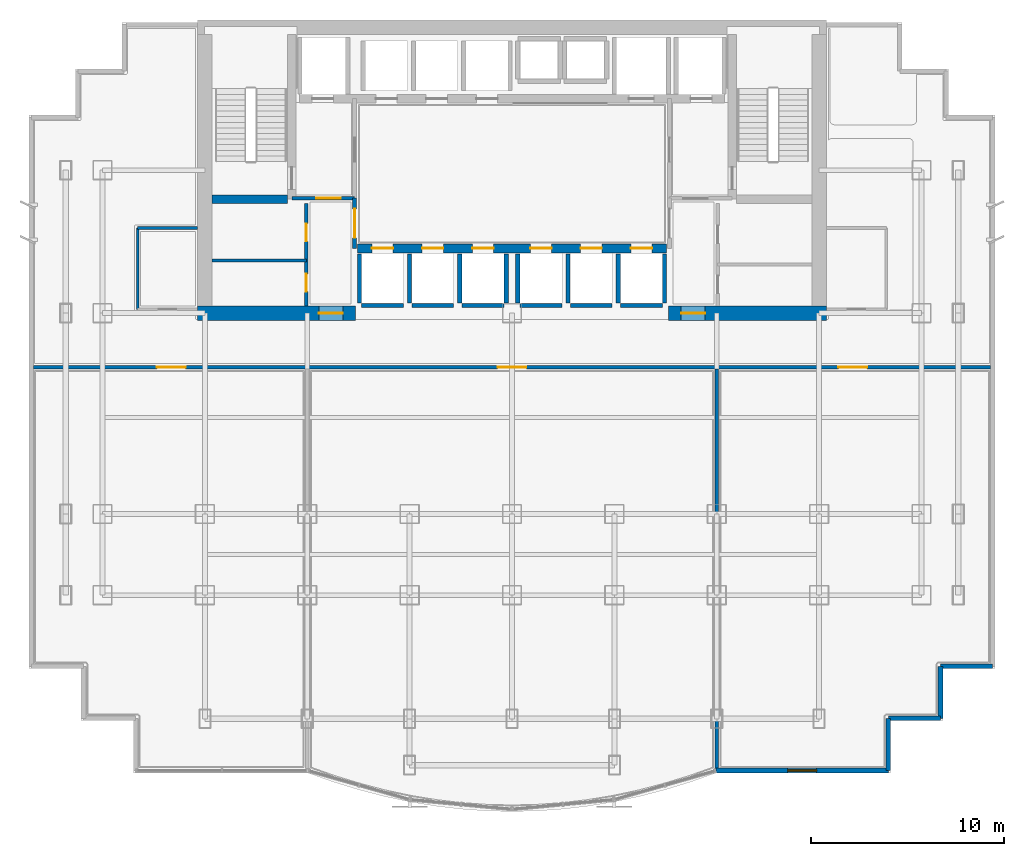
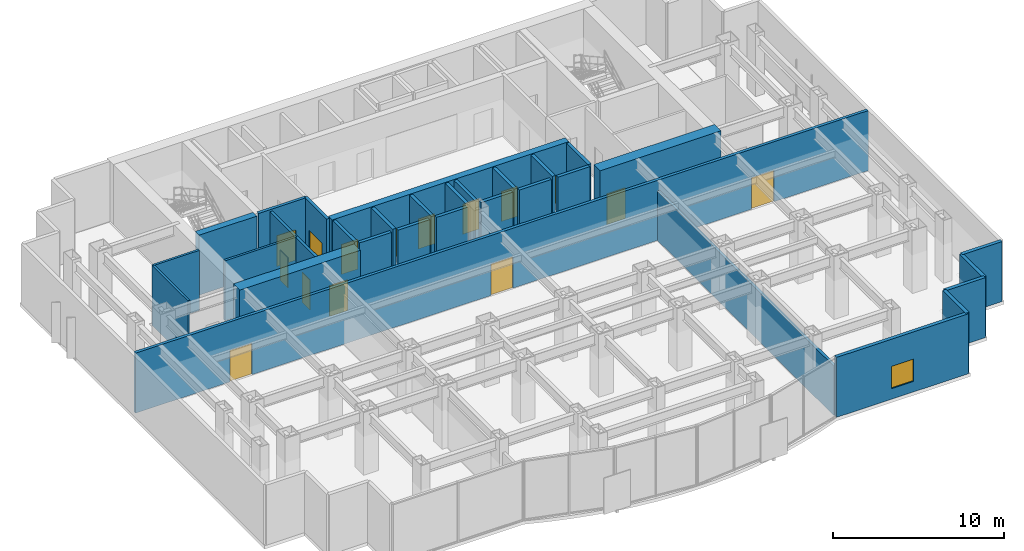
# One storey, part 5 of 9: 31 walls, 15 doors, 1 window, 16 openings.
"""IFC4 building model written with IfcOpenShell, lengths in metres."""

from ifc_helpers import new_model, si_unit, direction, frame, frame_2d, origin, place, context, subcontext, project, spatial, rectangle, extrude, material, layer, layer_set, type_object, element, fill, save


model = new_model("IFC4")

# Units and contexts
model_context = context("Model", 3, precision=1e-05, world=origin(), true_north=direction((0.0, 1.0)))
body_context = subcontext(model_context, "Body", "Model", "MODEL_VIEW")
ifc_project = project(units=[si_unit("LENGTHUNIT", "METRE"), si_unit("AREAUNIT", "SQUARE_METRE"), si_unit("VOLUMEUNIT", "CUBIC_METRE"), si_unit("PLANEANGLEUNIT", "RADIAN"), si_unit("MASSUNIT", "GRAM", prefix="KILO")], contexts=[model_context])

# Site, building, storey
site_placement = place(None, origin())
site = spatial("IfcSite", under=ifc_project, at=site_placement, CompositionType="ELEMENT")
building_placement = place(site_placement, origin())
building = spatial("IfcBuilding", under=site, at=building_placement, Name="Qianlan Lanfeng Residences", CompositionType="ELEMENT")
storey_placement = place(building_placement, frame((0.0, 0.0, 77.199951171875)))
storey = spatial("IfcBuildingStorey", under=building, at=storey_placement, Name="L20", CompositionType="ELEMENT", Elevation=77.199951171875)

# Wall
ifc_material_1 = material(Name="Concrete C60", Category="concrete")
ifc_layer_1 = layer(ifc_material_1, 0.449951171875)
ifc_layer_set_1 = layer_set([ifc_layer_1], Name="Concrete C60")
wall_type_1 = type_object("IfcWallType", Name="CW-RC-450", PredefinedType="SHEAR", material=ifc_layer_set_1)
wall_1_placement = place(storey_placement, frame((10.97509765625, 31.10009765625, 0.0), z_axis=(0.0, 0.0, 1.0), x_axis=(1.0, 0.0, 0.0)))
element("IfcWall", 1, at=wall_1_placement, inside=storey, type_object=wall_type_1, Name="L20 Core Shear Wall ST1S", PredefinedType="SHEAR", context=body_context, shape_type="SweptSolid", body=[
    extrude(rectangle(XDim=3.89990234375, YDim=0.449951171875, at=frame_2d((1.949951171875, 0.0))), origin(), (0.0, 0.0, 1.0), 4.2900390625),
])

# Wall, openings, doors
wall_2_placement = place(storey_placement, frame((18.5, 28.550048828125, 0.0), z_axis=(0.0, 0.0, 1.0), x_axis=(1.0, 0.0, 0.0)))
wall_2 = element("IfcWall", 2, at=wall_2_placement, inside=storey, type_object=wall_type_1, Name="L20 Core Shear Wall LBS", PredefinedType="SHEAR", context=body_context, shape_type="SweptSolid", body=[
    extrude(rectangle(XDim=16.0, YDim=0.449951171875, at=frame_2d((8.0, 0.0))), origin(), (0.0, 0.0, 1.0), 4.2900390625),
])
opening_1_placement = place(wall_2_placement, frame((0.75, 0.0, 0.0)))
opening_1 = element("IfcOpeningElement", 3, at=opening_1_placement, cuts=wall_2, Name="Opening L20-LD-PL-L1", PredefinedType="OPENING", context=body_context, shape_type="SweptSolid", body=[
    extrude(rectangle(XDim=1.10009765625, YDim=2.14990234375, at=frame_2d((0.550048828125, 1.074951171875))), frame((0.0, 0.23486328125, 0.0), z_axis=(0.0, -1.0, 0.0), x_axis=(1.0, 0.0, 0.0)), (0.0, 0.0, 1.0), 0.469970703125),
])
opening_2_placement = place(wall_2_placement, frame((3.35009765625, 0.0, 0.0)))
opening_2 = element("IfcOpeningElement", 4, at=opening_2_placement, cuts=wall_2, Name="Opening L20-LD-PL-L2", PredefinedType="OPENING", context=body_context, shape_type="SweptSolid", body=[
    extrude(rectangle(XDim=1.10009765625, YDim=2.14990234375, at=frame_2d((0.550048828125, 1.074951171875))), frame((0.0, 0.23486328125, 0.0), z_axis=(0.0, -1.0, 0.0), x_axis=(1.0, 0.0, 0.0)), (0.0, 0.0, 1.0), 0.469970703125),
])
opening_3_placement = place(wall_2_placement, frame((5.949951171875, 0.0, 0.0)))
opening_3 = element("IfcOpeningElement", 5, at=opening_3_placement, cuts=wall_2, Name="Opening L20-LD-PL-L3", PredefinedType="OPENING", context=body_context, shape_type="SweptSolid", body=[
    extrude(rectangle(XDim=1.10009765625, YDim=2.14990234375, at=frame_2d((0.550048828125, 1.074951171875))), frame((0.0, 0.23486328125, 0.0), z_axis=(0.0, -1.0, 0.0), x_axis=(1.0, 0.0, 0.0)), (0.0, 0.0, 1.0), 0.469970703125),
])
opening_4_placement = place(wall_2_placement, frame((8.949951171875, 0.0, 0.0)))
opening_4 = element("IfcOpeningElement", 6, at=opening_4_placement, cuts=wall_2, Name="Opening L20-LD-PL-M1", PredefinedType="OPENING", context=body_context, shape_type="SweptSolid", body=[
    extrude(rectangle(XDim=1.10009765625, YDim=2.14990234375, at=frame_2d((0.550048828125, 1.074951171875))), frame((0.0, 0.23486328125, 0.0), z_axis=(0.0, -1.0, 0.0), x_axis=(1.0, 0.0, 0.0)), (0.0, 0.0, 1.0), 0.469970703125),
])
opening_5_placement = place(wall_2_placement, frame((11.550048828125, 0.0, 0.0)))
opening_5 = element("IfcOpeningElement", 7, at=opening_5_placement, cuts=wall_2, Name="Opening L20-LD-PL-M2", PredefinedType="OPENING", context=body_context, shape_type="SweptSolid", body=[
    extrude(rectangle(XDim=1.10009765625, YDim=2.14990234375, at=frame_2d((0.550048828125, 1.074951171875))), frame((0.0, 0.23486328125, 0.0), z_axis=(0.0, -1.0, 0.0), x_axis=(1.0, 0.0, 0.0)), (0.0, 0.0, 1.0), 0.469970703125),
])
opening_6_placement = place(wall_2_placement, frame((14.14990234375, 0.0, 0.0)))
opening_6 = element("IfcOpeningElement", 8, at=opening_6_placement, cuts=wall_2, Name="Opening L20-LD-PL-M3", PredefinedType="OPENING", context=body_context, shape_type="SweptSolid", body=[
    extrude(rectangle(XDim=1.10009765625, YDim=2.14990234375, at=frame_2d((0.550048828125, 1.074951171875))), frame((0.0, 0.23486328125, 0.0), z_axis=(0.0, -1.0, 0.0), x_axis=(1.0, 0.0, 0.0)), (0.0, 0.0, 1.0), 0.469970703125),
])
ifc_material_2 = material(Name="Brushed Stainless Steel Sliding Lift Door", Category="steel")
door_type_1 = type_object("IfcDoorType", Name="LD-01", OperationType="NOTDEFINED", PredefinedType="DOOR", material=ifc_material_2)
door_1_placement = place(opening_1_placement, origin())
door_1 = element("IfcDoor", 9, at=door_1_placement, inside=storey, type_object=door_type_1, Name="L20 Elevator PL-L1 Sliding Landing Door", OperationType="DOUBLE_DOOR_SLIDING", OverallHeight=2.14990234375, OverallWidth=1.10009765625, PredefinedType="DOOR", context=body_context, shape_type="SweptSolid", body=[
    extrude(rectangle(XDim=1.10009765625, YDim=2.14990234375, at=frame_2d((0.550048828125, 1.074951171875))), frame((0.0, 0.02490234375, 0.0), z_axis=(0.0, -1.0, 0.0), x_axis=(1.0, 0.0, 0.0)), (0.0, 0.0, 1.0), 0.050048828125),
])
fill(opening_1, door_1)
door_2_placement = place(opening_2_placement, origin())
door_2 = element("IfcDoor", 10, at=door_2_placement, inside=storey, type_object=door_type_1, Name="L20 Elevator PL-L2 Sliding Landing Door", OperationType="DOUBLE_DOOR_SLIDING", OverallHeight=2.14990234375, OverallWidth=1.10009765625, PredefinedType="DOOR", context=body_context, shape_type="SweptSolid", body=[
    extrude(rectangle(XDim=1.10009765625, YDim=2.14990234375, at=frame_2d((0.550048828125, 1.074951171875))), frame((0.0, 0.02490234375, 0.0), z_axis=(0.0, -1.0, 0.0), x_axis=(1.0, 0.0, 0.0)), (0.0, 0.0, 1.0), 0.050048828125),
])
fill(opening_2, door_2)
door_3_placement = place(opening_3_placement, origin())
door_3 = element("IfcDoor", 11, at=door_3_placement, inside=storey, type_object=door_type_1, Name="L20 Elevator PL-L3 Sliding Landing Door", OperationType="DOUBLE_DOOR_SLIDING", OverallHeight=2.14990234375, OverallWidth=1.10009765625, PredefinedType="DOOR", context=body_context, shape_type="SweptSolid", body=[
    extrude(rectangle(XDim=1.10009765625, YDim=2.14990234375, at=frame_2d((0.550048828125, 1.074951171875))), frame((0.0, 0.02490234375, 0.0), z_axis=(0.0, -1.0, 0.0), x_axis=(1.0, 0.0, 0.0)), (0.0, 0.0, 1.0), 0.050048828125),
])
fill(opening_3, door_3)
door_4_placement = place(opening_4_placement, origin())
door_4 = element("IfcDoor", 12, at=door_4_placement, inside=storey, type_object=door_type_1, Name="L20 Elevator PL-M1 Sliding Landing Door", OperationType="DOUBLE_DOOR_SLIDING", OverallHeight=2.14990234375, OverallWidth=1.10009765625, PredefinedType="DOOR", context=body_context, shape_type="SweptSolid", body=[
    extrude(rectangle(XDim=1.10009765625, YDim=2.14990234375, at=frame_2d((0.550048828125, 1.074951171875))), frame((0.0, 0.02490234375, 0.0), z_axis=(0.0, -1.0, 0.0), x_axis=(1.0, 0.0, 0.0)), (0.0, 0.0, 1.0), 0.050048828125),
])
fill(opening_4, door_4)
door_5_placement = place(opening_5_placement, origin())
door_5 = element("IfcDoor", 13, at=door_5_placement, inside=storey, type_object=door_type_1, Name="L20 Elevator PL-M2 Sliding Landing Door", OperationType="DOUBLE_DOOR_SLIDING", OverallHeight=2.14990234375, OverallWidth=1.10009765625, PredefinedType="DOOR", context=body_context, shape_type="SweptSolid", body=[
    extrude(rectangle(XDim=1.10009765625, YDim=2.14990234375, at=frame_2d((0.550048828125, 1.074951171875))), frame((0.0, 0.02490234375, 0.0), z_axis=(0.0, -1.0, 0.0), x_axis=(1.0, 0.0, 0.0)), (0.0, 0.0, 1.0), 0.050048828125),
])
fill(opening_5, door_5)
door_6_placement = place(opening_6_placement, origin())
door_6 = element("IfcDoor", 14, at=door_6_placement, inside=storey, type_object=door_type_1, Name="L20 Elevator PL-M3 Sliding Landing Door", OperationType="DOUBLE_DOOR_SLIDING", OverallHeight=2.14990234375, OverallWidth=1.10009765625, PredefinedType="DOOR", context=body_context, shape_type="SweptSolid", body=[
    extrude(rectangle(XDim=1.10009765625, YDim=2.14990234375, at=frame_2d((0.550048828125, 1.074951171875))), frame((0.0, 0.02490234375, 0.0), z_axis=(0.0, -1.0, 0.0), x_axis=(1.0, 0.0, 0.0)), (0.0, 0.0, 1.0), 0.050048828125),
])
fill(opening_6, door_6)

# Wall, opening, door
ifc_layer_2 = layer(ifc_material_1, 0.75)
ifc_layer_set_2 = layer_set([ifc_layer_2], Name="Concrete C60")
wall_type_2 = type_object("IfcWallType", Name="CW-RC-750", PredefinedType="SHEAR", material=ifc_layer_set_2)
wall_3_placement = place(storey_placement, frame((10.22509765625, 25.199951171875, 0.0), z_axis=(0.0, 0.0, 1.0), x_axis=(1.0, 0.0, 0.0)))
wall_3 = element("IfcWall", 15, at=wall_3_placement, inside=storey, type_object=wall_type_2, Name="L20 Core Shear Wall SW", PredefinedType="SHEAR", context=body_context, shape_type="SweptSolid", body=[
    extrude(rectangle(XDim=8.1748046875, YDim=0.75, at=frame_2d((4.08740234375, 0.0))), origin(), (0.0, 0.0, 1.0), 4.2900390625),
])
opening_7_placement = place(wall_3_placement, frame((6.27490234375, 0.0, 0.0)))
opening_7 = element("IfcOpeningElement", 16, at=opening_7_placement, cuts=wall_3, Name="Opening L20-D01", PredefinedType="OPENING", context=body_context, shape_type="SweptSolid", body=[
    extrude(rectangle(XDim=1.25, YDim=2.199951171875, at=frame_2d((0.625, 1.10009765625))), frame((0.0, 0.385009765625, 0.0), z_axis=(0.0, -1.0, 0.0), x_axis=(1.0, 0.0, 0.0)), (0.0, 0.0, 1.0), 0.77001953125),
])
ifc_material_3 = material(Name="Painted Galvanised Steel Fire Door", Category="steel")
door_type_2 = type_object("IfcDoorType", Name="DT-FFL", OperationType="NOTDEFINED", PredefinedType="DOOR", material=ifc_material_3)
door_7_placement = place(opening_7_placement, frame((1.25, 0.0, 0.0), z_axis=(0.0, 0.0, 1.0), x_axis=(-1.0, 0.0, 0.0)))
door_7 = element("IfcDoor", 17, at=door_7_placement, inside=storey, type_object=door_type_2, Name="L20 West Core Lobby Smoke Door L20-D01 (DT-FFL)", OperationType="SINGLE_SWING_RIGHT", OverallHeight=2.199951171875, OverallWidth=1.25, PredefinedType="DOOR", context=body_context, shape_type="SweptSolid", body=[
    extrude(rectangle(XDim=1.25, YDim=2.199951171875, at=frame_2d((0.625, 1.10009765625))), frame((0.0, 0.02490234375, 0.0), z_axis=(0.0, -1.0, 0.0), x_axis=(1.0, 0.0, 0.0)), (0.0, 0.0, 1.0), 0.050048828125),
])
fill(opening_7, door_7)

wall_4_placement = place(storey_placement, frame((34.60009765625, 25.199951171875, 0.0), z_axis=(0.0, 0.0, 1.0), x_axis=(1.0, 0.0, 0.0)))
wall_4 = element("IfcWall", 18, at=wall_4_placement, inside=storey, type_object=wall_type_2, Name="L20 Core Shear Wall SE", PredefinedType="SHEAR", context=body_context, shape_type="SweptSolid", body=[
    extrude(rectangle(XDim=8.1748046875, YDim=0.75, at=frame_2d((4.08740234375, 0.0))), origin(), (0.0, 0.0, 1.0), 4.2900390625),
])
opening_8_placement = place(wall_4_placement, frame((0.64990234375, 0.0, 0.0)))
opening_8 = element("IfcOpeningElement", 19, at=opening_8_placement, cuts=wall_4, Name="Opening L20-D02", PredefinedType="OPENING", context=body_context, shape_type="SweptSolid", body=[
    extrude(rectangle(XDim=1.25, YDim=2.199951171875, at=frame_2d((0.625, 1.10009765625))), frame((0.0, 0.385009765625, 0.0), z_axis=(0.0, -1.0, 0.0), x_axis=(1.0, 0.0, 0.0)), (0.0, 0.0, 1.0), 0.77001953125),
])
door_8_placement = place(opening_8_placement, frame((1.25, 0.0, 0.0), z_axis=(0.0, 0.0, 1.0), x_axis=(-1.0, 0.0, 0.0)))
door_8 = element("IfcDoor", 20, at=door_8_placement, inside=storey, type_object=door_type_2, Name="L20 East Core Lobby Smoke Door L20-D02 (DT-FFL)", OperationType="SINGLE_SWING_LEFT", OverallHeight=2.199951171875, OverallWidth=1.25, PredefinedType="DOOR", context=body_context, shape_type="SweptSolid", body=[
    extrude(rectangle(XDim=1.25, YDim=2.199951171875, at=frame_2d((0.625, 1.10009765625))), frame((0.0, 0.02490234375, 0.0), z_axis=(0.0, -1.0, 0.0), x_axis=(1.0, 0.0, 0.0)), (0.0, 0.0, 1.0), 0.050048828125),
])
fill(opening_8, door_8)

# Wall, opening, window
ifc_material_4 = material(Name="Concrete C42", Category="concrete")
ifc_layer_3 = layer(ifc_material_4, 0.239990234375)
ifc_layer_set_3 = layer_set([ifc_layer_3], Name="Concrete C42")
wall_type_3 = type_object("IfcWallType", Name="EW-240", PredefinedType="SOLIDWALL", material=ifc_layer_set_3)
wall_5_placement = place(storey_placement, frame((37.05908203125, 1.52001953125, 0.0), z_axis=(0.0, 0.0, 1.0), x_axis=(1.0, 0.0, 0.0)))
wall_5 = element("IfcWall", 21, at=wall_5_placement, inside=storey, type_object=wall_type_3, Name="L20 Exterior Facade Spandrel Wall 5", PredefinedType="SOLIDWALL", context=body_context, shape_type="SweptSolid", body=[
    extrude(rectangle(XDim=8.9208984375, YDim=0.239990234375, at=frame_2d((4.46044921875, 0.0))), origin(), (0.0, 0.0, 1.0), 4.2900390625),
])
opening_9_placement = place(wall_5_placement, frame((3.7099609375, 0.0, 0.75)))
opening_9 = element("IfcOpeningElement", 22, at=opening_9_placement, cuts=wall_5, Name="Opening W-02", PredefinedType="OPENING", context=body_context, shape_type="SweptSolid", body=[
    extrude(rectangle(XDim=1.5, YDim=1.60009765625, at=frame_2d((0.75, 0.800048828125))), frame((0.0, 0.1298828125, 0.0), z_axis=(0.0, -1.0, 0.0), x_axis=(1.0, 0.0, 0.0)), (0.0, 0.0, 1.0), 0.260009765625),
])
ifc_material_5 = material(Name="Anodised Bronze Aluminium Framed Double Glazing", Category="aluminium")
window_type = type_object("IfcWindowType", Name="W-02", PartitioningType="SINGLE_PANEL", PredefinedType="WINDOW", material=ifc_material_5)
window_placement = place(opening_9_placement, origin())
window = element("IfcWindow", 23, at=window_placement, inside=storey, type_object=window_type, Name="L20 Facade Punched Window W-02", OverallHeight=1.60009765625, OverallWidth=1.5, PartitioningType="SINGLE_PANEL", PredefinedType="WINDOW", context=body_context, shape_type="SweptSolid", body=[
    extrude(rectangle(XDim=1.5, YDim=1.60009765625, at=frame_2d((0.75, 0.800048828125))), frame((0.0, 0.030029296875, 0.0), z_axis=(0.0, -1.0, 0.0), x_axis=(1.0, 0.0, 0.0)), (0.0, 0.0, 1.0), 0.06005859375),
])
fill(opening_9, window)

# Walls
for number, where, z_axis, x_axis, name in (
    (24, (45.97998046875, 1.52001953125, 0.0), (0.0, 0.0, 1.0), (0.0, 1.0, 0.0), "L20 Exterior Facade Spandrel Wall 6"),
    (25, (45.97998046875, 4.219970703125, 0.0), (0.0, 0.0, 1.0), (1.0, 0.0, 0.0), "L20 Exterior Facade Spandrel Wall 7"),
    (26, (48.679931640625, 4.219970703125, 0.0), (0.0, 0.0, 1.0), (0.0, 1.0, 0.0), "L20 Exterior Facade Spandrel Wall 8"),
    (27, (48.679931640625, 6.919921875, 0.0), (0.0, 0.0, 1.0), (1.0, 0.0, 0.0), "L20 Exterior Facade Spandrel Wall 9"),
):
    element("IfcWall", number, at=place(storey_placement, frame(where, z_axis=z_axis, x_axis=x_axis)), inside=storey, type_object=wall_type_3, Name=name, PredefinedType="SOLIDWALL", context=body_context, shape_type="SweptSolid", body=[
        extrude(rectangle(XDim=2.699951171875, YDim=0.239990234375, at=frame_2d((1.35009765625, 0.0))), origin(), (0.0, 0.0, 1.0), 4.2900390625),
    ])
ifc_material_6 = material(Name="Acoustic Drywall Partition 150 mm")
ifc_layer_4 = layer(ifc_material_6, 0.14990234375)
ifc_layer_set_4 = layer_set([ifc_layer_4], Name="Acoustic Drywall Partition 150 mm")
wall_type_4 = type_object("IfcWallType", Name="PW-150", PredefinedType="PARTITIONING", material=ifc_layer_set_4)
wall_6_placement = place(storey_placement, frame((10.97509765625, 27.925048828125, 0.0), z_axis=(0.0, 0.0, 1.0), x_axis=(1.0, 0.0, 0.0)))
element("IfcWall", 28, at=wall_6_placement, inside=storey, type_object=wall_type_4, Name="L20 Core West Split", PredefinedType="PARTITIONING", context=body_context, shape_type="SweptSolid", body=[
    extrude(rectangle(XDim=4.875, YDim=0.14990234375, at=frame_2d((2.4375, 0.0))), origin(), (0.0, 0.0, 1.0), 4.2900390625),
])
wall_7_placement = place(storey_placement, frame((7.125, 25.39990234375, 0.0), z_axis=(0.0, 0.0, 1.0), x_axis=(0.0, 1.0, 0.0)))
element("IfcWall", 29, at=wall_7_placement, inside=storey, type_object=wall_type_4, Name="L20 Restroom West Wall", PredefinedType="PARTITIONING", context=body_context, shape_type="SweptSolid", body=[
    extrude(rectangle(XDim=4.2001953125, YDim=0.14990234375, at=frame_2d((2.10009765625, 0.0))), origin(), (0.0, 0.0, 1.0), 4.2900390625),
])
wall_8_placement = place(storey_placement, frame((7.125, 29.60009765625, 0.0), z_axis=(0.0, 0.0, 1.0), x_axis=(1.0, 0.0, 0.0)))
element("IfcWall", 30, at=wall_8_placement, inside=storey, type_object=wall_type_4, Name="L20 Restroom North Wall", PredefinedType="PARTITIONING", context=body_context, shape_type="SweptSolid", body=[
    extrude(rectangle(XDim=3.10009765625, YDim=0.14990234375, at=frame_2d((1.550048828125, 0.0))), origin(), (0.0, 0.0, 1.0), 4.2900390625),
])

# Wall, openings, doors
ifc_material_7 = material(Name="Double-Layer Acoustic Gypsum Stud Wall 180 mm")
ifc_layer_5 = layer(ifc_material_7, 0.179931640625)
ifc_layer_set_5 = layer_set([ifc_layer_5], Name="Double-Layer Acoustic Gypsum Stud Wall 180 mm")
wall_type_5 = type_object("IfcWallType", Name="PW-180", PredefinedType="PARTITIONING", material=ifc_layer_set_5)
wall_9_placement = place(storey_placement, frame((15.85009765625, 25.574951171875, 0.0), z_axis=(0.0, 0.0, 1.0), x_axis=(0.0, 1.0, 0.0)))
wall_9 = element("IfcWall", 31, at=wall_9_placement, inside=storey, type_object=wall_type_5, Name="L20 Core West Service Room Wall", PredefinedType="PARTITIONING", context=body_context, shape_type="SweptSolid", body=[
    extrude(rectangle(XDim=5.300048828125, YDim=0.179931640625, at=frame_2d((2.64990234375, 0.0))), origin(), (0.0, 0.0, 1.0), 4.2900390625),
])
opening_10_placement = place(wall_9_placement, frame((0.739990234375, 0.0, 0.0)))
opening_10 = element("IfcOpeningElement", 32, at=opening_10_placement, cuts=wall_9, Name="Opening L20-D09", PredefinedType="OPENING", context=body_context, shape_type="SweptSolid", body=[
    extrude(rectangle(XDim=0.919921875, YDim=2.14990234375, at=frame_2d((0.4599609375, 1.074951171875))), frame((0.0, 0.10009765625, 0.0), z_axis=(0.0, -1.0, 0.0), x_axis=(1.0, 0.0, 0.0)), (0.0, 0.0, 1.0), 0.199951171875),
])
opening_11_placement = place(wall_9_placement, frame((3.340087890625, 0.0, 0.0)))
opening_11 = element("IfcOpeningElement", 33, at=opening_11_placement, cuts=wall_9, Name="Opening L20-D10", PredefinedType="OPENING", context=body_context, shape_type="SweptSolid", body=[
    extrude(rectangle(XDim=0.919921875, YDim=2.14990234375, at=frame_2d((0.4599609375, 1.074951171875))), frame((0.0, 0.10009765625, 0.0), z_axis=(0.0, -1.0, 0.0), x_axis=(1.0, 0.0, 0.0)), (0.0, 0.0, 1.0), 0.199951171875),
])
ifc_material_8 = material(Name="Glazed Timber Kitchen/Study Door", Category="wood")
door_type_3 = type_object("IfcDoorType", Name="DT-INT", OperationType="NOTDEFINED", PredefinedType="DOOR", material=ifc_material_8)
door_9_placement = place(opening_10_placement, origin())
door_9 = element("IfcDoor", 34, at=door_9_placement, inside=storey, type_object=door_type_3, Name="L20 Parcel Room Door L20-D09 (DT-INT)", OperationType="SINGLE_SWING_LEFT", OverallHeight=2.14990234375, OverallWidth=0.919921875, PredefinedType="DOOR", context=body_context, shape_type="SweptSolid", body=[
    extrude(rectangle(XDim=0.919921875, YDim=2.14990234375, at=frame_2d((0.4599609375, 1.074951171875))), frame((0.0, 0.02490234375, 0.0), z_axis=(0.0, -1.0, 0.0), x_axis=(1.0, 0.0, 0.0)), (0.0, 0.0, 1.0), 0.050048828125),
])
fill(opening_10, door_9)
door_10_placement = place(opening_11_placement, origin())
door_10 = element("IfcDoor", 35, at=door_10_placement, inside=storey, type_object=door_type_3, Name="L20 Janitor Closet Door L20-D10 (DT-INT)", OperationType="SINGLE_SWING_RIGHT", OverallHeight=2.14990234375, OverallWidth=0.919921875, PredefinedType="DOOR", context=body_context, shape_type="SweptSolid", body=[
    extrude(rectangle(XDim=0.919921875, YDim=2.14990234375, at=frame_2d((0.4599609375, 1.074951171875))), frame((0.0, 0.02490234375, 0.0), z_axis=(0.0, -1.0, 0.0), x_axis=(1.0, 0.0, 0.0)), (0.0, 0.0, 1.0), 0.050048828125),
])
fill(opening_11, door_10)

# Wall
wall_10_placement = place(storey_placement, frame((37.10009765625, 1.6201171875, 0.0), z_axis=(0.0, 0.0, 1.0), x_axis=(0.0, 1.0, 0.0)))
element("IfcWall", 36, at=wall_10_placement, inside=storey, type_object=wall_type_5, Name="L20 East Lounge Partition", PredefinedType="PARTITIONING", context=body_context, shape_type="SweptSolid", body=[
    extrude(rectangle(XDim=20.679931640625, YDim=0.179931640625, at=frame_2d((10.33984375, 0.0))), origin(), (0.0, 0.0, 1.0), 3.53515625),
])

# Wall, opening, door
ifc_material_9 = material(Name="Autoclaved Aerated Concrete Blockwork 200 mm", Category="masonry")
ifc_layer_6 = layer(ifc_material_9, 0.199951171875)
ifc_layer_set_6 = layer_set([ifc_layer_6], Name="Autoclaved Aerated Concrete Blockwork 200 mm")
wall_type_6 = type_object("IfcWallType", Name="PW-200", PredefinedType="PARTITIONING", material=ifc_layer_set_6)
wall_11_placement = place(storey_placement, frame((15.10009765625, 31.14990234375, 0.0), z_axis=(0.0, 0.0, 1.0), x_axis=(1.0, 0.0, 0.0)))
wall_11 = element("IfcWall", 37, at=wall_11_placement, inside=storey, type_object=wall_type_6, Name="L20 Firefighting Lobby 1 South Wall", PredefinedType="PARTITIONING", context=body_context, shape_type="SweptSolid", body=[
    extrude(rectangle(XDim=3.25, YDim=0.199951171875, at=frame_2d((1.625, 0.0))), origin(), (0.0, 0.0, 1.0), 4.2900390625),
])
opening_12_placement = place(wall_11_placement, frame((1.27490234375, 0.0, 0.0)))
opening_12 = element("IfcOpeningElement", 38, at=opening_12_placement, cuts=wall_11, Name="Opening L20-D03", PredefinedType="OPENING", context=body_context, shape_type="SweptSolid", body=[
    extrude(rectangle(XDim=1.25, YDim=2.199951171875, at=frame_2d((0.625, 1.10009765625))), frame((0.0, 0.10986328125, 0.0), z_axis=(0.0, -1.0, 0.0), x_axis=(1.0, 0.0, 0.0)), (0.0, 0.0, 1.0), 0.219970703125),
])
door_11_placement = place(opening_12_placement, origin())
door_11 = element("IfcDoor", 39, at=door_11_placement, inside=storey, type_object=door_type_2, Name="L20 Firefighting Lobby 1 Entry Door L20-D03 (DT-FFL)", OperationType="SINGLE_SWING_LEFT", OverallHeight=2.199951171875, OverallWidth=1.25, PredefinedType="DOOR", context=body_context, shape_type="SweptSolid", body=[
    extrude(rectangle(XDim=1.25, YDim=2.199951171875, at=frame_2d((0.625, 1.10009765625))), frame((0.0, 0.02490234375, 0.0), z_axis=(0.0, -1.0, 0.0), x_axis=(1.0, 0.0, 0.0)), (0.0, 0.0, 1.0), 0.050048828125),
])
fill(opening_12, door_11)

wall_12_placement = place(storey_placement, frame((18.35009765625, 28.550048828125, 0.0), z_axis=(0.0, 0.0, 1.0), x_axis=(0.0, 1.0, 0.0)))
wall_12 = element("IfcWall", 40, at=wall_12_placement, inside=storey, type_object=wall_type_6, Name="L20 Lift Lobby West Connector Wall", PredefinedType="PARTITIONING", context=body_context, shape_type="SweptSolid", body=[
    extrude(rectangle(XDim=2.599853515625, YDim=0.199951171875, at=frame_2d((1.2998046875, 0.0))), origin(), (0.0, 0.0, 1.0), 4.2900390625),
])
opening_13_placement = place(wall_12_placement, frame((0.550048828125, 0.0, 0.0)))
opening_13 = element("IfcOpeningElement", 41, at=opening_13_placement, cuts=wall_12, Name="Opening L20-D13", PredefinedType="OPENING", context=body_context, shape_type="SweptSolid", body=[
    extrude(rectangle(XDim=1.5, YDim=2.25, at=frame_2d((0.75, 1.125))), frame((0.0, 0.10986328125, 0.0), z_axis=(0.0, -1.0, 0.0), x_axis=(1.0, 0.0, 0.0)), (0.0, 0.0, 1.0), 0.219970703125),
])
ifc_material_10 = material(Name="Timber Veneer Acoustic Fire Door", Category="wood")
door_type_4 = type_object("IfcDoorType", Name="DT-COR1", OperationType="NOTDEFINED", PredefinedType="DOOR", material=ifc_material_10)
door_12_placement = place(opening_13_placement, origin())
door_12 = element("IfcDoor", 42, at=door_12_placement, inside=storey, type_object=door_type_4, Name="L20 Lift Lobby West Portal Door L20-D13 (DT-COR1)", OperationType="DOUBLE_DOOR_SINGLE_SWING", OverallHeight=2.25, OverallWidth=1.5, PredefinedType="DOOR", context=body_context, shape_type="SweptSolid", body=[
    extrude(rectangle(XDim=1.5, YDim=2.25, at=frame_2d((0.75, 1.125))), frame((0.0, 0.02490234375, 0.0), z_axis=(0.0, -1.0, 0.0), x_axis=(1.0, 0.0, 0.0)), (0.0, 0.0, 1.0), 0.050048828125),
])
fill(opening_13, door_12)

# Wall, openings, doors
wall_13_placement = place(storey_placement, frame((1.719970703125, 22.39990234375, 0.0), z_axis=(0.0, 0.0, 1.0), x_axis=(1.0, 0.0, 0.0)))
wall_13 = element("IfcWall", 43, at=wall_13_placement, inside=storey, type_object=wall_type_6, Name="L20 Sky Lobby Concourse Wall", PredefinedType="PARTITIONING", context=body_context, shape_type="SweptSolid", body=[
    extrude(rectangle(XDim=49.56005859375, YDim=0.199951171875, at=frame_2d((24.780029296875, 0.0))), origin(), (0.0, 0.0, 1.0), 4.2900390625),
])
opening_14_placement = place(wall_13_placement, frame((6.389892578125, 0.0, 0.0)))
opening_14 = element("IfcOpeningElement", 44, at=opening_14_placement, cuts=wall_13, Name="Opening L20-D15", PredefinedType="OPENING", context=body_context, shape_type="SweptSolid", body=[
    extrude(rectangle(XDim=1.5, YDim=2.25, at=frame_2d((0.75, 1.125))), frame((0.0, 0.10986328125, 0.0), z_axis=(0.0, -1.0, 0.0), x_axis=(1.0, 0.0, 0.0)), (0.0, 0.0, 1.0), 0.219970703125),
])
opening_15_placement = place(wall_13_placement, frame((24.030029296875, 0.0, 0.0)))
opening_15 = element("IfcOpeningElement", 45, at=opening_15_placement, cuts=wall_13, Name="Opening L20-D16", PredefinedType="OPENING", context=body_context, shape_type="SweptSolid", body=[
    extrude(rectangle(XDim=1.5, YDim=2.25, at=frame_2d((0.75, 1.125))), frame((0.0, 0.10986328125, 0.0), z_axis=(0.0, -1.0, 0.0), x_axis=(1.0, 0.0, 0.0)), (0.0, 0.0, 1.0), 0.219970703125),
])
opening_16_placement = place(wall_13_placement, frame((41.669921875, 0.0, 0.0)))
opening_16 = element("IfcOpeningElement", 46, at=opening_16_placement, cuts=wall_13, Name="Opening L20-D17", PredefinedType="OPENING", context=body_context, shape_type="SweptSolid", body=[
    extrude(rectangle(XDim=1.5, YDim=2.25, at=frame_2d((0.75, 1.125))), frame((0.0, 0.10986328125, 0.0), z_axis=(0.0, -1.0, 0.0), x_axis=(1.0, 0.0, 0.0)), (0.0, 0.0, 1.0), 0.219970703125),
])
door_13_placement = place(opening_14_placement, origin())
door_13 = element("IfcDoor", 47, at=door_13_placement, inside=storey, type_object=door_type_4, Name="L20 Yoga Studio Door L20-D15 (DT-COR1)", OperationType="DOUBLE_DOOR_SINGLE_SWING", OverallHeight=2.25, OverallWidth=1.5, PredefinedType="DOOR", context=body_context, shape_type="SweptSolid", body=[
    extrude(rectangle(XDim=1.5, YDim=2.25, at=frame_2d((0.75, 1.125))), frame((0.0, 0.02490234375, 0.0), z_axis=(0.0, -1.0, 0.0), x_axis=(1.0, 0.0, 0.0)), (0.0, 0.0, 1.0), 0.050048828125),
])
fill(opening_14, door_13)
door_14_placement = place(opening_15_placement, origin())
door_14 = element("IfcDoor", 48, at=door_14_placement, inside=storey, type_object=door_type_4, Name="L20 Fitness Gymnasium Door L20-D16 (DT-COR1)", OperationType="DOUBLE_DOOR_SINGLE_SWING", OverallHeight=2.25, OverallWidth=1.5, PredefinedType="DOOR", context=body_context, shape_type="SweptSolid", body=[
    extrude(rectangle(XDim=1.5, YDim=2.25, at=frame_2d((0.75, 1.125))), frame((0.0, 0.02490234375, 0.0), z_axis=(0.0, -1.0, 0.0), x_axis=(1.0, 0.0, 0.0)), (0.0, 0.0, 1.0), 0.050048828125),
])
fill(opening_15, door_14)
door_15_placement = place(opening_16_placement, origin())
door_15 = element("IfcDoor", 49, at=door_15_placement, inside=storey, type_object=door_type_4, Name="L20 Harbour Tea Salon Door L20-D17 (DT-COR1)", OperationType="DOUBLE_DOOR_SINGLE_SWING", OverallHeight=2.25, OverallWidth=1.5, PredefinedType="DOOR", context=body_context, shape_type="SweptSolid", body=[
    extrude(rectangle(XDim=1.5, YDim=2.25, at=frame_2d((0.75, 1.125))), frame((0.0, 0.02490234375, 0.0), z_axis=(0.0, -1.0, 0.0), x_axis=(1.0, 0.0, 0.0)), (0.0, 0.0, 1.0), 0.050048828125),
])
fill(opening_16, door_15)

# Walls
ifc_material_11 = material(Name="Concrete C49", Category="concrete")
ifc_layer_7 = layer(ifc_material_11, 0.219970703125)
ifc_layer_set_7 = layer_set([ifc_layer_7], Name="Concrete C49")
wall_type_7 = type_object("IfcWallType", Name="SHW-220", PredefinedType="SOLIDWALL", material=ifc_layer_set_7)
wall_14_placement = place(storey_placement, frame((18.60009765625, 25.719970703125, 0.0), z_axis=(0.0, 0.0, 1.0), x_axis=(0.0, 1.0, 0.0)))
element("IfcWall", 50, at=wall_14_placement, inside=storey, type_object=wall_type_7, Name="L20 Lift PL-L1 Shaft Wall W", PredefinedType="SOLIDWALL", context=body_context, shape_type="SweptSolid", body=[
    extrude(rectangle(XDim=2.530029296875, YDim=0.219970703125, at=frame_2d((1.26513671875, 0.0))), origin(), (0.0, 0.0, 1.0), 4.2900390625),
])
wall_15_placement = place(storey_placement, frame((18.719970703125, 25.60009765625, 0.0), z_axis=(0.0, 0.0, 1.0), x_axis=(1.0, 0.0, 0.0)))
element("IfcWall", 51, at=wall_15_placement, inside=storey, type_object=wall_type_7, Name="L20 Lift PL-L1 Shaft Back Wall S", PredefinedType="SOLIDWALL", context=body_context, shape_type="SweptSolid", body=[
    extrude(rectangle(XDim=2.159912109375, YDim=0.219970703125, at=frame_2d((1.080078125, 0.0))), origin(), (0.0, 0.0, 1.0), 4.2900390625),
])
wall_16_placement = place(storey_placement, frame((21.199951171875, 25.719970703125, 0.0), z_axis=(0.0, 0.0, 1.0), x_axis=(0.0, 1.0, 0.0)))
element("IfcWall", 52, at=wall_16_placement, inside=storey, type_object=wall_type_7, Name="L20 Lift PL-L2 Shaft Wall W", PredefinedType="SOLIDWALL", context=body_context, shape_type="SweptSolid", body=[
    extrude(rectangle(XDim=2.530029296875, YDim=0.219970703125, at=frame_2d((1.26513671875, 0.0))), origin(), (0.0, 0.0, 1.0), 4.2900390625),
])
wall_17_placement = place(storey_placement, frame((21.320068359375, 25.60009765625, 0.0), z_axis=(0.0, 0.0, 1.0), x_axis=(1.0, 0.0, 0.0)))
element("IfcWall", 53, at=wall_17_placement, inside=storey, type_object=wall_type_7, Name="L20 Lift PL-L2 Shaft Back Wall S", PredefinedType="SOLIDWALL", context=body_context, shape_type="SweptSolid", body=[
    extrude(rectangle(XDim=2.159912109375, YDim=0.219970703125, at=frame_2d((1.080078125, 0.0))), origin(), (0.0, 0.0, 1.0), 4.2900390625),
])
for number, where, z_axis, x_axis, name in (
    (54, (23.800048828125, 25.719970703125, 0.0), (0.0, 0.0, 1.0), (0.0, 1.0, 0.0), "L20 Lift PL-L3 Shaft Wall W"),
    (55, (26.199951171875, 25.719970703125, 0.0), (0.0, 0.0, 1.0), (0.0, 1.0, 0.0), "L20 Lift PL-L3 Shaft Wall E"),
):
    element("IfcWall", number, at=place(storey_placement, frame(where, z_axis=z_axis, x_axis=x_axis)), inside=storey, type_object=wall_type_7, Name=name, PredefinedType="SOLIDWALL", context=body_context, shape_type="SweptSolid", body=[
        extrude(rectangle(XDim=2.530029296875, YDim=0.219970703125, at=frame_2d((1.26513671875, 0.0))), origin(), (0.0, 0.0, 1.0), 4.2900390625),
    ])
wall_18_placement = place(storey_placement, frame((23.919921875, 25.60009765625, 0.0), z_axis=(0.0, 0.0, 1.0), x_axis=(1.0, 0.0, 0.0)))
element("IfcWall", 56, at=wall_18_placement, inside=storey, type_object=wall_type_7, Name="L20 Lift PL-L3 Shaft Back Wall S", PredefinedType="SOLIDWALL", context=body_context, shape_type="SweptSolid", body=[
    extrude(rectangle(XDim=2.16015625, YDim=0.219970703125, at=frame_2d((1.080078125, 0.0))), origin(), (0.0, 0.0, 1.0), 4.2900390625),
])
wall_19_placement = place(storey_placement, frame((26.800048828125, 25.719970703125, 0.0), z_axis=(0.0, 0.0, 1.0), x_axis=(0.0, 1.0, 0.0)))
element("IfcWall", 57, at=wall_19_placement, inside=storey, type_object=wall_type_7, Name="L20 Lift PL-M1 Shaft Wall W", PredefinedType="SOLIDWALL", context=body_context, shape_type="SweptSolid", body=[
    extrude(rectangle(XDim=2.530029296875, YDim=0.219970703125, at=frame_2d((1.26513671875, 0.0))), origin(), (0.0, 0.0, 1.0), 4.2900390625),
])
wall_20_placement = place(storey_placement, frame((26.919921875, 25.60009765625, 0.0), z_axis=(0.0, 0.0, 1.0), x_axis=(1.0, 0.0, 0.0)))
element("IfcWall", 58, at=wall_20_placement, inside=storey, type_object=wall_type_7, Name="L20 Lift PL-M1 Shaft Back Wall S", PredefinedType="SOLIDWALL", context=body_context, shape_type="SweptSolid", body=[
    extrude(rectangle(XDim=2.16015625, YDim=0.219970703125, at=frame_2d((1.080078125, 0.0))), origin(), (0.0, 0.0, 1.0), 4.2900390625),
])
wall_21_placement = place(storey_placement, frame((29.39990234375, 25.719970703125, 0.0), z_axis=(0.0, 0.0, 1.0), x_axis=(0.0, 1.0, 0.0)))
element("IfcWall", 59, at=wall_21_placement, inside=storey, type_object=wall_type_7, Name="L20 Lift PL-M2 Shaft Wall W", PredefinedType="SOLIDWALL", context=body_context, shape_type="SweptSolid", body=[
    extrude(rectangle(XDim=2.530029296875, YDim=0.219970703125, at=frame_2d((1.26513671875, 0.0))), origin(), (0.0, 0.0, 1.0), 4.2900390625),
])
wall_22_placement = place(storey_placement, frame((29.52001953125, 25.60009765625, 0.0), z_axis=(0.0, 0.0, 1.0), x_axis=(1.0, 0.0, 0.0)))
element("IfcWall", 60, at=wall_22_placement, inside=storey, type_object=wall_type_7, Name="L20 Lift PL-M2 Shaft Back Wall S", PredefinedType="SOLIDWALL", context=body_context, shape_type="SweptSolid", body=[
    extrude(rectangle(XDim=2.159912109375, YDim=0.219970703125, at=frame_2d((1.080078125, 0.0))), origin(), (0.0, 0.0, 1.0), 4.2900390625),
])
for number, where, z_axis, x_axis, name in (
    (61, (32.0, 25.719970703125, 0.0), (0.0, 0.0, 1.0), (0.0, 1.0, 0.0), "L20 Lift PL-M3 Shaft Wall W"),
    (62, (34.39990234375, 25.719970703125, 0.0), (0.0, 0.0, 1.0), (0.0, 1.0, 0.0), "L20 Lift PL-M3 Shaft Wall E"),
):
    element("IfcWall", number, at=place(storey_placement, frame(where, z_axis=z_axis, x_axis=x_axis)), inside=storey, type_object=wall_type_7, Name=name, PredefinedType="SOLIDWALL", context=body_context, shape_type="SweptSolid", body=[
        extrude(rectangle(XDim=2.530029296875, YDim=0.219970703125, at=frame_2d((1.26513671875, 0.0))), origin(), (0.0, 0.0, 1.0), 4.2900390625),
    ])
wall_23_placement = place(storey_placement, frame((32.1201171875, 25.60009765625, 0.0), z_axis=(0.0, 0.0, 1.0), x_axis=(1.0, 0.0, 0.0)))
element("IfcWall", 63, at=wall_23_placement, inside=storey, type_object=wall_type_7, Name="L20 Lift PL-M3 Shaft Back Wall S", PredefinedType="SOLIDWALL", context=body_context, shape_type="SweptSolid", body=[
    extrude(rectangle(XDim=2.159912109375, YDim=0.219970703125, at=frame_2d((1.080078125, 0.0))), origin(), (0.0, 0.0, 1.0), 4.2900390625),
])

save(model, "model.ifc")
